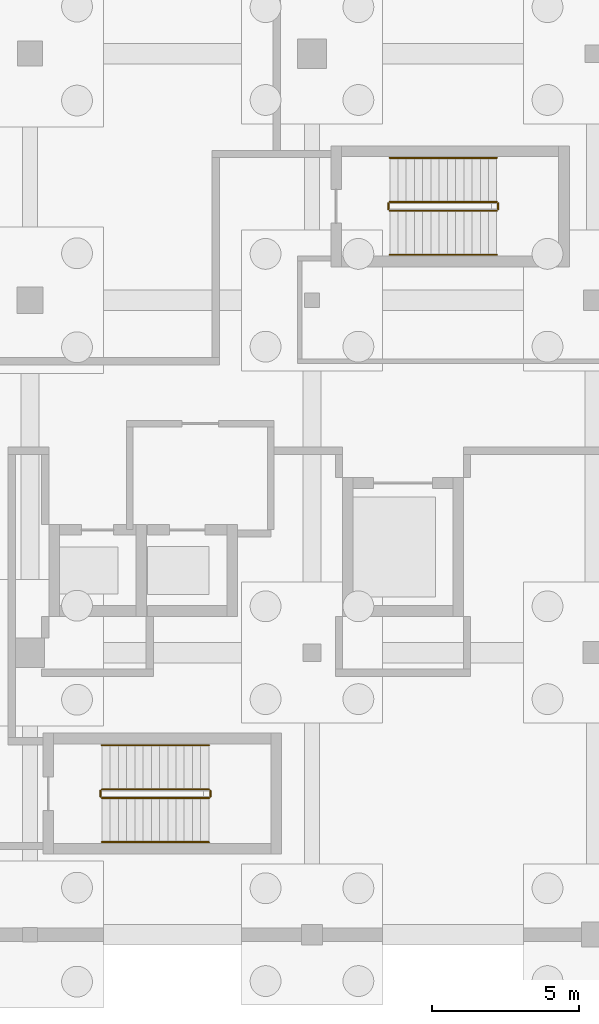
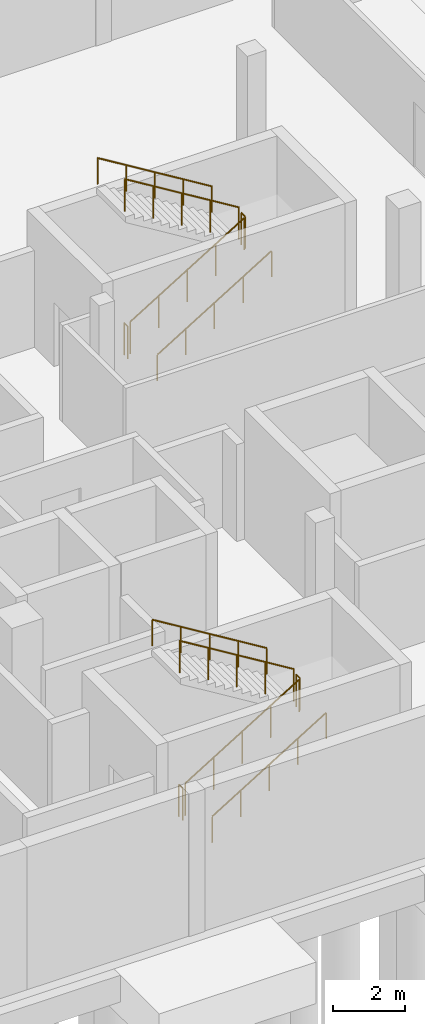
# One storey, part 21 of 28: 12 railings.
"""IFC4 building model written with IfcOpenShell, lengths in metres."""

from ifc_helpers import new_model, si_unit, direction, frame, origin, origin_2d, place, context, subcontext, project, spatial, circle, extrude, material, type_object, element, save


model = new_model("IFC4")

# Units and contexts
model_context = context("Model", 3, precision=1e-05, world=origin(), true_north=direction((0.0, 1.0)))
body_context = subcontext(model_context, "Body", "Model", "MODEL_VIEW")
ifc_project = project(units=[si_unit("LENGTHUNIT", "METRE"), si_unit("AREAUNIT", "SQUARE_METRE"), si_unit("VOLUMEUNIT", "CUBIC_METRE"), si_unit("PLANEANGLEUNIT", "RADIAN"), si_unit("MASSUNIT", "GRAM", prefix="KILO")], contexts=[model_context])

# Site, building, storey
site_placement = place(None, origin())
site = spatial("IfcSite", under=ifc_project, at=site_placement, CompositionType="ELEMENT")
building_placement = place(site_placement, origin())
building = spatial("IfcBuilding", under=site, at=building_placement, Name="Zereglee Splitstone Museum", CompositionType="ELEMENT")
storey_placement = place(building_placement, frame((0.0, 0.0, -4.800048828125)))
storey = spatial("IfcBuildingStorey", under=building, at=storey_placement, Name="B1", CompositionType="ELEMENT", Elevation=-4.800048828125)

# Railings
ifc_material_1 = material(Name="Painted steel S355J2 post-and-baluster guard", Category="steel")
railing_type_1 = type_object("IfcRailingType", Name="GR-03", PredefinedType="BALUSTRADE", material=ifc_material_1)
railing_1_placement = place(storey_placement, frame((22.85009765625, 4.64990234375, 0.17138671875)))
element("IfcRailing", 1, at=railing_1_placement, inside=storey, type_object=railing_type_1, Name="B1 ST-01 stair guard 1", PredefinedType="BALUSTRADE", context=body_context, shape_type="SweptSolid", body=[
    extrude(circle(Radius=0.02392578125, at=origin_2d()), frame((0.0, 0.0, 1.076416015625), z_axis=(0.852824790078, 0.0, 0.522197163366), x_axis=(0.0, 1.0, 0.0)), (0.0, 0.0, 1.0), 4.26806640625),
    extrude(circle(Radius=0.02099609375, at=origin_2d()), origin(), (0.0, 0.0, 1.0), 1.052001953125),
    extrude(circle(Radius=0.02099609375, at=origin_2d()), frame((0.909912109375, 0.0, 0.55712890625)), (0.0, 0.0, 1.0), 1.052001953125),
    extrude(circle(Radius=0.02099609375, at=origin_2d()), frame((1.81982421875, 0.0, 1.1142578125)), (0.0, 0.0, 1.0), 1.052001953125),
    extrude(circle(Radius=0.02099609375, at=origin_2d()), frame((2.72998046875, 0.0, 1.671630859375)), (0.0, 0.0, 1.0), 1.052001953125),
    extrude(circle(Radius=0.02099609375, at=origin_2d()), frame((3.639892578125, 0.0, 2.228759765625)), (0.0, 0.0, 1.0), 1.052001953125),
])
railing_2_placement = place(storey_placement, frame((26.5400390625, 4.699951171875, 2.400146484375)))
element("IfcRailing", 2, at=railing_2_placement, inside=storey, type_object=railing_type_1, Name="B1 ST-01 stair guard 2", PredefinedType="BALUSTRADE", context=body_context, shape_type="SweptSolid", body=[
    extrude(circle(Radius=0.02392578125, at=origin_2d()), frame((0.0, 0.0, 1.076416015625), z_axis=(0.0, 1.0, 0.0), x_axis=(-1.0, 0.0, 0.0)), (0.0, 0.0, 1.0), 0.199951171875),
    extrude(circle(Radius=0.02099609375, at=origin_2d()), origin(), (0.0, 0.0, 1.0), 1.052001953125),
    extrude(circle(Radius=0.02099609375, at=origin_2d()), frame((0.0, 0.199951171875, 0.0)), (0.0, 0.0, 1.0), 1.052001953125),
])
railing_3_placement = place(storey_placement, frame((26.489990234375, 4.949951171875, 2.571533203125)))
element("IfcRailing", 3, at=railing_3_placement, inside=storey, type_object=railing_type_1, Name="B1 ST-01 stair guard 3", PredefinedType="BALUSTRADE", context=body_context, shape_type="SweptSolid", body=[
    extrude(circle(Radius=0.02392578125, at=origin_2d()), frame((0.0, 0.0, 1.076416015625), z_axis=(-0.852850264322, 0.0, 0.5221555579), x_axis=(0.0, -1.0, 0.0)), (0.0, 0.0, 1.0), 4.267822265625),
    extrude(circle(Radius=0.02099609375, at=origin_2d()), origin(), (0.0, 0.0, 1.0), 1.052001953125),
    extrude(circle(Radius=0.02099609375, at=origin_2d()), frame((-0.909912109375, 0.0, 0.55712890625)), (0.0, 0.0, 1.0), 1.052001953125),
    extrude(circle(Radius=0.02099609375, at=origin_2d()), frame((-1.81982421875, 0.0, 1.1142578125)), (0.0, 0.0, 1.0), 1.052001953125),
    extrude(circle(Radius=0.02099609375, at=origin_2d()), frame((-2.72998046875, 0.0, 1.67138671875)), (0.0, 0.0, 1.0), 1.052001953125),
    extrude(circle(Radius=0.02099609375, at=origin_2d()), frame((-3.639892578125, 0.0, 2.228515625)), (0.0, 0.0, 1.0), 1.052001953125),
])
railing_4_placement = place(storey_placement, frame((22.800048828125, 4.699951171875, 0.0)))
element("IfcRailing", 4, at=railing_4_placement, inside=storey, type_object=railing_type_1, Name="B1 ST-01 stair guard 4", PredefinedType="BALUSTRADE", context=body_context, shape_type="SweptSolid", body=[
    extrude(circle(Radius=0.02392578125, at=origin_2d()), frame((0.0, 0.0, 1.076416015625), z_axis=(0.0, 1.0, 0.0), x_axis=(-1.0, 0.0, 0.0)), (0.0, 0.0, 1.0), 0.199951171875),
    extrude(circle(Radius=0.02099609375, at=origin_2d()), origin(), (0.0, 0.0, 1.0), 1.052001953125),
    extrude(circle(Radius=0.02099609375, at=origin_2d()), frame((0.0, 0.199951171875, 0.0)), (0.0, 0.0, 1.0), 1.052001953125),
])
railing_5_placement = place(storey_placement, frame((32.64990234375, 24.64990234375, 0.17138671875)))
element("IfcRailing", 5, at=railing_5_placement, inside=storey, type_object=railing_type_1, Name="B1 ST-02 stair guard 1", PredefinedType="BALUSTRADE", context=body_context, shape_type="SweptSolid", body=[
    extrude(circle(Radius=0.02392578125, at=origin_2d()), frame((0.0, 0.0, 1.076416015625), z_axis=(0.852840387347, 0.0, 0.522171689878), x_axis=(0.0, 1.0, 0.0)), (0.0, 0.0, 1.0), 4.268310546875),
    extrude(circle(Radius=0.02099609375, at=origin_2d()), origin(), (0.0, 0.0, 1.0), 1.052001953125),
    extrude(circle(Radius=0.02099609375, at=origin_2d()), frame((0.91015625, 0.0, 0.55712890625)), (0.0, 0.0, 1.0), 1.052001953125),
    extrude(circle(Radius=0.02099609375, at=origin_2d()), frame((1.820068359375, 0.0, 1.1142578125)), (0.0, 0.0, 1.0), 1.052001953125),
    extrude(circle(Radius=0.02099609375, at=origin_2d()), frame((2.72998046875, 0.0, 1.671630859375)), (0.0, 0.0, 1.0), 1.052001953125),
    extrude(circle(Radius=0.02099609375, at=origin_2d()), frame((3.64013671875, 0.0, 2.228759765625)), (0.0, 0.0, 1.0), 1.052001953125),
])
railing_6_placement = place(storey_placement, frame((36.340087890625, 24.699951171875, 2.400146484375)))
element("IfcRailing", 6, at=railing_6_placement, inside=storey, type_object=railing_type_1, Name="B1 ST-02 stair guard 2", PredefinedType="BALUSTRADE", context=body_context, shape_type="SweptSolid", body=[
    extrude(circle(Radius=0.02392578125, at=origin_2d()), frame((0.0, 0.0, 1.076416015625), z_axis=(0.0, 1.0, 0.0), x_axis=(-1.0, 0.0, 0.0)), (0.0, 0.0, 1.0), 0.199951171875),
    extrude(circle(Radius=0.02099609375, at=origin_2d()), origin(), (0.0, 0.0, 1.0), 1.052001953125),
    extrude(circle(Radius=0.02099609375, at=origin_2d()), frame((0.0, 0.199951171875, 0.0)), (0.0, 0.0, 1.0), 1.052001953125),
])
railing_7_placement = place(storey_placement, frame((36.2900390625, 24.949951171875, 2.571533203125)))
element("IfcRailing", 7, at=railing_7_placement, inside=storey, type_object=railing_type_1, Name="B1 ST-02 stair guard 3", PredefinedType="BALUSTRADE", context=body_context, shape_type="SweptSolid", body=[
    extrude(circle(Radius=0.02392578125, at=origin_2d()), frame((0.0, 0.0, 1.076416015625), z_axis=(-0.852865859571, 0.0, 0.52213008492), x_axis=(0.0, -1.0, 0.0)), (0.0, 0.0, 1.0), 4.26806640625),
    extrude(circle(Radius=0.02099609375, at=origin_2d()), origin(), (0.0, 0.0, 1.0), 1.052001953125),
    extrude(circle(Radius=0.02099609375, at=origin_2d()), frame((-0.91015625, 0.0, 0.55712890625)), (0.0, 0.0, 1.0), 1.052001953125),
    extrude(circle(Radius=0.02099609375, at=origin_2d()), frame((-1.820068359375, 0.0, 1.1142578125)), (0.0, 0.0, 1.0), 1.052001953125),
    extrude(circle(Radius=0.02099609375, at=origin_2d()), frame((-2.72998046875, 0.0, 1.67138671875)), (0.0, 0.0, 1.0), 1.052001953125),
    extrude(circle(Radius=0.02099609375, at=origin_2d()), frame((-3.64013671875, 0.0, 2.228515625)), (0.0, 0.0, 1.0), 1.052001953125),
])
railing_8_placement = place(storey_placement, frame((32.60009765625, 24.699951171875, 0.0)))
element("IfcRailing", 8, at=railing_8_placement, inside=storey, type_object=railing_type_1, Name="B1 ST-02 stair guard 4", PredefinedType="BALUSTRADE", context=body_context, shape_type="SweptSolid", body=[
    extrude(circle(Radius=0.02392578125, at=origin_2d()), frame((0.0, 0.0, 1.076416015625), z_axis=(0.0, 1.0, 0.0), x_axis=(-1.0, 0.0, 0.0)), (0.0, 0.0, 1.0), 0.199951171875),
    extrude(circle(Radius=0.02099609375, at=origin_2d()), origin(), (0.0, 0.0, 1.0), 1.052001953125),
    extrude(circle(Radius=0.02099609375, at=origin_2d()), frame((0.0, 0.199951171875, 0.0)), (0.0, 0.0, 1.0), 1.052001953125),
])
ifc_material_2 = material(Name="Architectural bronze tubular handrail", Category="steel")
railing_type_2 = type_object("IfcRailingType", Name="HR-01", PredefinedType="HANDRAIL", material=ifc_material_2)
railing_9_placement = place(storey_placement, frame((22.85009765625, 3.14990234375, 0.17138671875)))
element("IfcRailing", 9, at=railing_9_placement, inside=storey, type_object=railing_type_2, Name="B1 ST-01 stair handrail 1", PredefinedType="HANDRAIL", context=body_context, shape_type="SweptSolid", body=[
    extrude(circle(Radius=0.02392578125, at=origin_2d()), frame((0.0, 0.0, 0.8759765625), z_axis=(0.852824790078, 0.0, 0.522197163366), x_axis=(0.0, 1.0, 0.0)), (0.0, 0.0, 1.0), 4.26806640625),
    extrude(circle(Radius=0.02099609375, at=origin_2d()), origin(), (0.0, 0.0, 1.0), 0.851806640625),
    extrude(circle(Radius=0.02099609375, at=origin_2d()), frame((0.909912109375, 0.0, 0.55712890625)), (0.0, 0.0, 1.0), 0.851806640625),
    extrude(circle(Radius=0.02099609375, at=origin_2d()), frame((1.81982421875, 0.0, 1.1142578125)), (0.0, 0.0, 1.0), 0.851806640625),
    extrude(circle(Radius=0.02099609375, at=origin_2d()), frame((2.72998046875, 0.0, 1.671630859375)), (0.0, 0.0, 1.0), 0.851806640625),
    extrude(circle(Radius=0.02099609375, at=origin_2d()), frame((3.639892578125, 0.0, 2.228759765625)), (0.0, 0.0, 1.0), 0.851806640625),
])
railing_10_placement = place(storey_placement, frame((26.489990234375, 6.449951171875, 2.571533203125)))
element("IfcRailing", 10, at=railing_10_placement, inside=storey, type_object=railing_type_2, Name="B1 ST-01 stair handrail 2", PredefinedType="HANDRAIL", context=body_context, shape_type="SweptSolid", body=[
    extrude(circle(Radius=0.02392578125, at=origin_2d()), frame((0.0, 0.0, 0.8759765625), z_axis=(-0.852850264322, 0.0, 0.5221555579), x_axis=(0.0, -1.0, 0.0)), (0.0, 0.0, 1.0), 4.267822265625),
    extrude(circle(Radius=0.02099609375, at=origin_2d()), origin(), (0.0, 0.0, 1.0), 0.851806640625),
    extrude(circle(Radius=0.02099609375, at=origin_2d()), frame((-0.909912109375, 0.0, 0.55712890625)), (0.0, 0.0, 1.0), 0.851806640625),
    extrude(circle(Radius=0.02099609375, at=origin_2d()), frame((-1.81982421875, 0.0, 1.1142578125)), (0.0, 0.0, 1.0), 0.851806640625),
    extrude(circle(Radius=0.02099609375, at=origin_2d()), frame((-2.72998046875, 0.0, 1.67138671875)), (0.0, 0.0, 1.0), 0.851806640625),
    extrude(circle(Radius=0.02099609375, at=origin_2d()), frame((-3.639892578125, 0.0, 2.228515625)), (0.0, 0.0, 1.0), 0.851806640625),
])
railing_11_placement = place(storey_placement, frame((32.64990234375, 23.14990234375, 0.17138671875)))
element("IfcRailing", 11, at=railing_11_placement, inside=storey, type_object=railing_type_2, Name="B1 ST-02 stair handrail 1", PredefinedType="HANDRAIL", context=body_context, shape_type="SweptSolid", body=[
    extrude(circle(Radius=0.02392578125, at=origin_2d()), frame((0.0, 0.0, 0.8759765625), z_axis=(0.852840387347, 0.0, 0.522171689878), x_axis=(0.0, 1.0, 0.0)), (0.0, 0.0, 1.0), 4.268310546875),
    extrude(circle(Radius=0.02099609375, at=origin_2d()), origin(), (0.0, 0.0, 1.0), 0.851806640625),
    extrude(circle(Radius=0.02099609375, at=origin_2d()), frame((0.91015625, 0.0, 0.55712890625)), (0.0, 0.0, 1.0), 0.851806640625),
    extrude(circle(Radius=0.02099609375, at=origin_2d()), frame((1.820068359375, 0.0, 1.1142578125)), (0.0, 0.0, 1.0), 0.851806640625),
    extrude(circle(Radius=0.02099609375, at=origin_2d()), frame((2.72998046875, 0.0, 1.671630859375)), (0.0, 0.0, 1.0), 0.851806640625),
    extrude(circle(Radius=0.02099609375, at=origin_2d()), frame((3.64013671875, 0.0, 2.228759765625)), (0.0, 0.0, 1.0), 0.851806640625),
])
railing_12_placement = place(storey_placement, frame((36.2900390625, 26.449951171875, 2.571533203125)))
element("IfcRailing", 12, at=railing_12_placement, inside=storey, type_object=railing_type_2, Name="B1 ST-02 stair handrail 2", PredefinedType="HANDRAIL", context=body_context, shape_type="SweptSolid", body=[
    extrude(circle(Radius=0.02392578125, at=origin_2d()), frame((0.0, 0.0, 0.8759765625), z_axis=(-0.852865859571, 0.0, 0.52213008492), x_axis=(0.0, -1.0, 0.0)), (0.0, 0.0, 1.0), 4.26806640625),
    extrude(circle(Radius=0.02099609375, at=origin_2d()), origin(), (0.0, 0.0, 1.0), 0.851806640625),
    extrude(circle(Radius=0.02099609375, at=origin_2d()), frame((-0.91015625, 0.0, 0.55712890625)), (0.0, 0.0, 1.0), 0.851806640625),
    extrude(circle(Radius=0.02099609375, at=origin_2d()), frame((-1.820068359375, 0.0, 1.1142578125)), (0.0, 0.0, 1.0), 0.851806640625),
    extrude(circle(Radius=0.02099609375, at=origin_2d()), frame((-2.72998046875, 0.0, 1.67138671875)), (0.0, 0.0, 1.0), 0.851806640625),
    extrude(circle(Radius=0.02099609375, at=origin_2d()), frame((-3.64013671875, 0.0, 2.228515625)), (0.0, 0.0, 1.0), 0.851806640625),
])

save(model, "model.ifc")
